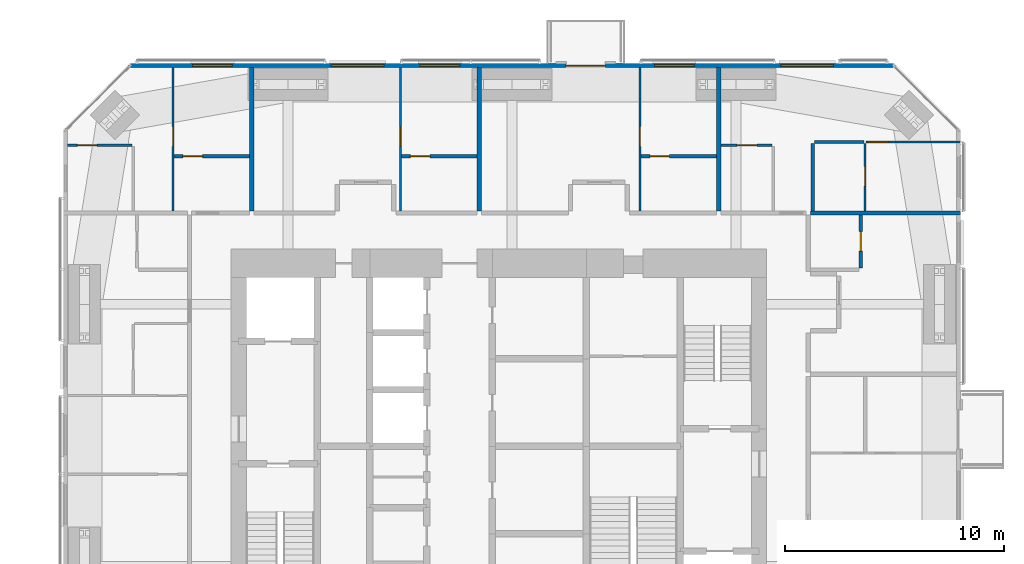
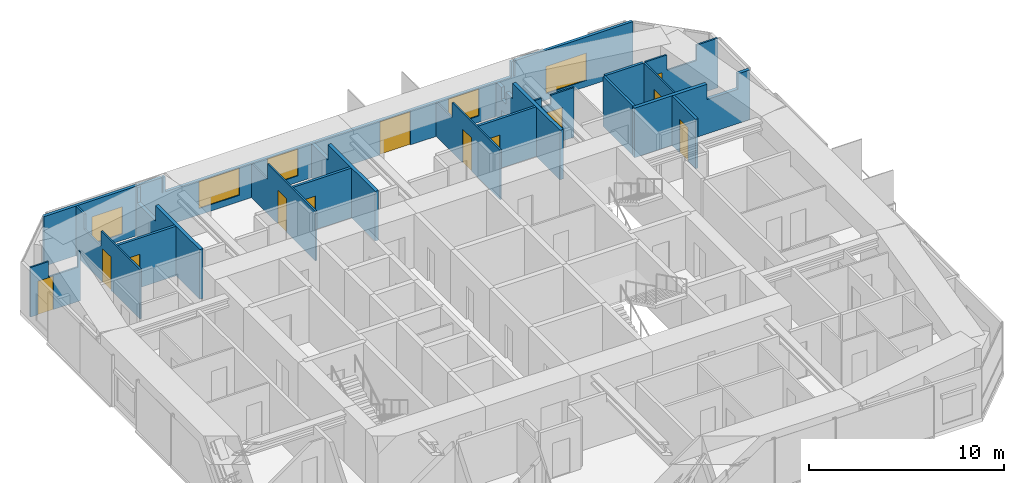
# One storey, part 21 of 23: 18 walls, 12 doors, 5 windows, 17 openings.
"""IFC4 building model written with IfcOpenShell, lengths in metres."""

from ifc_helpers import new_model, si_unit, direction, frame, frame_2d, origin, place, context, subcontext, project, spatial, polyline, rectangle, outline, extrude, material, constituent, constituent_set, type_object, element, fill, save


model = new_model("IFC4")

# Units and contexts
model_context = context("Model", 3, precision=1e-05, world=origin(), true_north=direction((0.0, 1.0)))
body_context = subcontext(model_context, "Body", "Model", "MODEL_VIEW")
ifc_project = project(units=[si_unit("LENGTHUNIT", "METRE"), si_unit("AREAUNIT", "SQUARE_METRE"), si_unit("VOLUMEUNIT", "CUBIC_METRE"), si_unit("PLANEANGLEUNIT", "RADIAN"), si_unit("MASSUNIT", "GRAM", prefix="KILO")], contexts=[model_context])

# Site, building, storey
site_placement = place(None, origin())
site = spatial("IfcSite", under=ifc_project, at=site_placement, CompositionType="ELEMENT")
building_placement = place(site_placement, origin())
building = spatial("IfcBuilding", under=site, at=building_placement, Name="Jalousie Tower", CompositionType="ELEMENT")
storey_placement = place(building_placement, frame((0.0, 0.0, 187.85009765625)))
storey = spatial("IfcBuildingStorey", under=building, at=storey_placement, Name="L51", CompositionType="ELEMENT", Elevation=187.85009765625)

# Wall, opening, door
ifc_material_1 = material(Name="Concrete block ASTM C90", Category="concrete")
ifc_constituent_1 = constituent(ifc_material_1, Name="Body")
ifc_material_2 = material(Name="Render")
ifc_constituent_2 = constituent(ifc_material_2, Name="Finish")
ifc_constituent_set_1 = constituent_set(constituents=[ifc_constituent_1, ifc_constituent_2])
wall_type_1 = type_object("IfcWallType", Name="BATHROOM WALL 150", PredefinedType="PLUMBINGWALL", material=ifc_constituent_set_1)
wall_1_placement = place(storey_placement, frame((17.050048828125, 31.77490234375, 0.0), z_axis=(0.0, 0.0, 1.0), x_axis=(1.0, 0.0, 0.0)))
wall_1 = element("IfcWall", 1, at=wall_1_placement, inside=storey, type_object=wall_type_1, Name="Bathroom Wall 150 L51", PredefinedType="PLUMBINGWALL", context=body_context, shape_type="SweptSolid", body=[
    extrude(rectangle(XDim=3.449951171875, YDim=0.14990234375, at=frame_2d((1.72509765625, 0.0))), origin(), (0.0, 0.0, 1.0), 3.10986328125),
])
opening_1_placement = place(wall_1_placement, frame((0.39990234375, 0.0, 0.0)))
opening_1 = element("IfcOpeningElement", 2, at=opening_1_placement, cuts=wall_1, Name="Opening D3", PredefinedType="OPENING", context=body_context, shape_type="SweptSolid", body=[
    extrude(rectangle(XDim=0.89990234375, YDim=2.10009765625, at=frame_2d((0.449951171875, 1.050048828125))), frame((0.0, 0.0849609375, 0.0), z_axis=(0.0, -1.0, 0.0), x_axis=(1.0, 0.0, 0.0)), (0.0, 0.0, 1.0), 0.169921875),
])
ifc_material_3 = material(Name="Timber door", Category="wood")
door_type_1 = type_object("IfcDoorType", Name="BATHROOM DOOR 900", OperationType="SINGLE_SWING_LEFT", PredefinedType="DOOR", material=ifc_material_3)
door_1_placement = place(opening_1_placement, frame((0.89990234375, 0.0, 0.0), z_axis=(0.0, 0.0, 1.0), x_axis=(-1.0, 0.0, 0.0)))
door_1 = element("IfcDoor", 3, at=door_1_placement, inside=storey, type_object=door_type_1, Name="Apartment 5104 bedroom 1 bathroom door", OperationType="SINGLE_SWING_RIGHT", OverallHeight=2.10009765625, OverallWidth=0.89990234375, PredefinedType="DOOR", context=body_context, shape_type="SweptSolid", body=[
    extrude(rectangle(XDim=0.89990234375, YDim=2.10009765625, at=frame_2d((0.449951171875, 1.050048828125))), frame((0.0, 0.02490234375, 0.0), z_axis=(0.0, -1.0, 0.0), x_axis=(1.0, 0.0, 0.0)), (0.0, 0.0, 1.0), 0.050048828125),
])
fill(opening_1, door_1)

wall_2_placement = place(storey_placement, frame((27.449951171875, 31.77490234375, 0.0), z_axis=(0.0, 0.0, 1.0), x_axis=(1.0, 0.0, 0.0)))
wall_2 = element("IfcWall", 4, at=wall_2_placement, inside=storey, type_object=wall_type_1, Name="Bathroom Wall 150 L51", PredefinedType="PLUMBINGWALL", context=body_context, shape_type="SweptSolid", body=[
    extrude(rectangle(XDim=3.449951171875, YDim=0.14990234375, at=frame_2d((1.72509765625, 0.0))), origin(), (0.0, 0.0, 1.0), 3.10986328125),
])
opening_2_placement = place(wall_2_placement, frame((0.39990234375, 0.0, 0.0)))
opening_2 = element("IfcOpeningElement", 5, at=opening_2_placement, cuts=wall_2, Name="Opening D3", PredefinedType="OPENING", context=body_context, shape_type="SweptSolid", body=[
    extrude(rectangle(XDim=0.89990234375, YDim=2.10009765625, at=frame_2d((0.449951171875, 1.050048828125))), frame((0.0, 0.0849609375, 0.0), z_axis=(0.0, -1.0, 0.0), x_axis=(1.0, 0.0, 0.0)), (0.0, 0.0, 1.0), 0.169921875),
])
door_2_placement = place(opening_2_placement, frame((0.89990234375, 0.0, 0.0), z_axis=(0.0, 0.0, 1.0), x_axis=(-1.0, 0.0, 0.0)))
door_2 = element("IfcDoor", 6, at=door_2_placement, inside=storey, type_object=door_type_1, Name="Apartment 5105 bedroom 1 bathroom door", OperationType="SINGLE_SWING_RIGHT", OverallHeight=2.10009765625, OverallWidth=0.89990234375, PredefinedType="DOOR", context=body_context, shape_type="SweptSolid", body=[
    extrude(rectangle(XDim=0.89990234375, YDim=2.10009765625, at=frame_2d((0.449951171875, 1.050048828125))), frame((0.0, 0.02490234375, 0.0), z_axis=(0.0, -1.0, 0.0), x_axis=(1.0, 0.0, 0.0)), (0.0, 0.0, 1.0), 0.050048828125),
])
fill(opening_2, door_2)

wall_3_placement = place(storey_placement, frame((38.39990234375, 31.77490234375, 0.0), z_axis=(0.0, 0.0, 1.0), x_axis=(1.0, 0.0, 0.0)))
wall_3 = element("IfcWall", 7, at=wall_3_placement, inside=storey, type_object=wall_type_1, Name="Bathroom Wall 150 L51", PredefinedType="PLUMBINGWALL", context=body_context, shape_type="SweptSolid", body=[
    extrude(rectangle(XDim=3.4501953125, YDim=0.14990234375, at=frame_2d((1.72509765625, 0.0))), origin(), (0.0, 0.0, 1.0), 3.10986328125),
])
opening_3_placement = place(wall_3_placement, frame((0.39990234375, 0.0, 0.0)))
opening_3 = element("IfcOpeningElement", 8, at=opening_3_placement, cuts=wall_3, Name="Opening D3", PredefinedType="OPENING", context=body_context, shape_type="SweptSolid", body=[
    extrude(rectangle(XDim=0.89990234375, YDim=2.10009765625, at=frame_2d((0.449951171875, 1.050048828125))), frame((0.0, 0.0849609375, 0.0), z_axis=(0.0, -1.0, 0.0), x_axis=(1.0, 0.0, 0.0)), (0.0, 0.0, 1.0), 0.169921875),
])
door_3_placement = place(opening_3_placement, frame((0.89990234375, 0.0, 0.0), z_axis=(0.0, 0.0, 1.0), x_axis=(-1.0, 0.0, 0.0)))
door_3 = element("IfcDoor", 9, at=door_3_placement, inside=storey, type_object=door_type_1, Name="Apartment 5106 bedroom 1 bathroom door", OperationType="SINGLE_SWING_RIGHT", OverallHeight=2.10009765625, OverallWidth=0.89990234375, PredefinedType="DOOR", context=body_context, shape_type="SweptSolid", body=[
    extrude(rectangle(XDim=0.89990234375, YDim=2.10009765625, at=frame_2d((0.449951171875, 1.050048828125))), frame((0.0, 0.02490234375, 0.0), z_axis=(0.0, -1.0, 0.0), x_axis=(1.0, 0.0, 0.0)), (0.0, 0.0, 1.0), 0.050048828125),
])
fill(opening_3, door_3)

# Walls
wall_4_placement = place(storey_placement, frame((46.324951171875, 32.420166015625, 0.0), z_axis=(0.0, 0.0, 1.0), x_axis=(1.0, 0.0, 0.0)))
element("IfcWall", 10, at=wall_4_placement, inside=storey, type_object=wall_type_1, Name="Bathroom Wall 150 L51", PredefinedType="PLUMBINGWALL", context=body_context, shape_type="SweptSolid", body=[
    extrude(rectangle(XDim=2.275146484375, YDim=0.14990234375, at=frame_2d((1.1376953125, 0.0))), origin(), (0.0, 0.0, 1.0), 3.10986328125),
])
wall_5_placement = place(storey_placement, frame((46.25, 32.34521484375, 0.0), z_axis=(0.0, 0.0, 1.0), x_axis=(0.0, -1.0, 0.0)))
element("IfcWall", 11, at=wall_5_placement, inside=storey, type_object=wall_type_1, Name="Bathroom Wall 150 L51", PredefinedType="PLUMBINGWALL", context=body_context, shape_type="SweptSolid", body=[
    extrude(rectangle(XDim=3.0703125, YDim=0.14990234375, at=frame_2d((1.53515625, 0.0))), origin(), (0.0, 0.0, 1.0), 3.10986328125),
])

# Wall, opening, door
wall_6_placement = place(storey_placement, frame((48.449951171875, 26.64990234375, 0.0), z_axis=(0.0, 0.0, 1.0), x_axis=(0.0, 1.0, 0.0)))
wall_6 = element("IfcWall", 12, at=wall_6_placement, inside=storey, type_object=wall_type_1, Name="Bathroom Wall 150 L51", PredefinedType="PLUMBINGWALL", context=body_context, shape_type="SweptSolid", body=[
    extrude(rectangle(XDim=2.425048828125, YDim=0.14990234375, at=frame_2d((1.21240234375, 0.0))), origin(), (0.0, 0.0, 1.0), 3.10986328125),
])
opening_4_placement = place(wall_6_placement, frame((0.77490234375, 0.0, 0.0)))
opening_4 = element("IfcOpeningElement", 13, at=opening_4_placement, cuts=wall_6, Name="Opening D3", PredefinedType="OPENING", context=body_context, shape_type="SweptSolid", body=[
    extrude(rectangle(XDim=0.89990234375, YDim=2.10009765625, at=frame_2d((0.449951171875, 1.050048828125))), frame((0.0, 0.0849609375, 0.0), z_axis=(0.0, -1.0, 0.0), x_axis=(1.0, 0.0, 0.0)), (0.0, 0.0, 1.0), 0.169921875),
])
door_4_placement = place(opening_4_placement, origin())
door_4 = element("IfcDoor", 14, at=door_4_placement, inside=storey, type_object=door_type_1, Name="Apartment 5110 bathroom door", OperationType="SINGLE_SWING_RIGHT", OverallHeight=2.10009765625, OverallWidth=0.89990234375, PredefinedType="DOOR", context=body_context, shape_type="SweptSolid", body=[
    extrude(rectangle(XDim=0.89990234375, YDim=2.10009765625, at=frame_2d((0.449951171875, 1.050048828125))), frame((0.0, 0.02490234375, 0.0), z_axis=(0.0, -1.0, 0.0), x_axis=(1.0, 0.0, 0.0)), (0.0, 0.0, 1.0), 0.050048828125),
])
fill(opening_4, door_4)

# Wall, openings, door, windows
ifc_material_4 = material(Name="Concrete f'c 40 MPa", Category="concrete")
ifc_constituent_3 = constituent(ifc_material_4, Name="Body")
ifc_material_5 = material(Name="Render, pastel lemon")
ifc_constituent_4 = constituent(ifc_material_5, Name="Finish")
ifc_constituent_set_2 = constituent_set(constituents=[ifc_constituent_3, ifc_constituent_4])
wall_type_2 = type_object("IfcWallType", Name="EXTERNAL WALL 175 LEMON RENDER", PredefinedType="SOLIDWALL", material=ifc_constituent_set_2)
wall_7_placement = place(storey_placement, frame((49.94873046875, 35.91259765625, 0.0), z_axis=(0.0, 0.0, 1.0), x_axis=(-1.0, 0.0, 0.0)))
wall_7 = element("IfcWall", 15, at=wall_7_placement, inside=storey, type_object=wall_type_2, Name="External Wall 175 Lemon Render L51", PredefinedType="SOLIDWALL", context=body_context, shape_type="SweptSolid", body=[
    extrude(outline(polyline([(0.0, 0.0), (34.8974609375, 0.0), (34.8974609375, 3.10986328125), (27.91015625, 3.10986328125), (27.91015625, 2.14990234375), (27.8359375, 2.14990234375), (27.8359375, 3.10986328125), (27.69873046875, 3.10986328125), (27.69873046875, 2.14990234375), (7.19873046875, 2.14990234375), (7.19873046875, 3.10986328125), (7.0615234375, 3.10986328125), (7.0615234375, 2.14990234375), (6.9873046875, 2.14990234375), (6.9873046875, 3.10986328125), (0.0, 3.10986328125), (0.0, 0.0)])), frame((0.0, 0.08740234375, 0.0), z_axis=(0.0, -1.0, 0.0), x_axis=(1.0, 0.0, 0.0)), (0.0, 0.0, 1.0), 0.175048828125),
])
opening_5_placement = place(wall_7_placement, frame((2.74951171875, 0.0, 0.39990234375)))
opening_5 = element("IfcOpeningElement", 16, at=opening_5_placement, cuts=wall_7, Name="Opening W-LIV170", PredefinedType="OPENING", context=body_context, shape_type="SweptSolid", body=[
    extrude(rectangle(XDim=2.39990234375, YDim=1.699951171875, at=frame_2d((1.199951171875, 0.85009765625))), frame((0.0, 0.097412109375, 0.0), z_axis=(0.0, -1.0, 0.0), x_axis=(1.0, 0.0, 0.0)), (0.0, 0.0, 1.0), 0.195068359375),
])
opening_6_placement = place(wall_7_placement, frame((9.123779296875, 0.0, 0.39990234375)))
opening_6 = element("IfcOpeningElement", 17, at=opening_6_placement, cuts=wall_7, Name="Opening W-BED170", PredefinedType="OPENING", context=body_context, shape_type="SweptSolid", body=[
    extrude(rectangle(XDim=1.800048828125, YDim=1.699951171875, at=frame_2d((0.89990234375, 0.85009765625))), frame((0.0, 0.097412109375, 0.0), z_axis=(0.0, -1.0, 0.0), x_axis=(1.0, 0.0, 0.0)), (0.0, 0.0, 1.0), 0.195068359375),
])
opening_7_placement = place(wall_7_placement, frame((13.173583984375, 0.0, 0.0)))
opening_7 = element("IfcOpeningElement", 18, at=opening_7_placement, cuts=wall_7, Name="Opening D-BAL21", PredefinedType="OPENING", context=body_context, shape_type="SweptSolid", body=[
    extrude(rectangle(XDim=1.800048828125, YDim=2.10009765625, at=frame_2d((0.89990234375, 1.050048828125))), frame((0.0, 0.097412109375, 0.0), z_axis=(0.0, -1.0, 0.0), x_axis=(1.0, 0.0, 0.0)), (0.0, 0.0, 1.0), 0.195068359375),
])
opening_8_placement = place(wall_7_placement, frame((19.8486328125, 0.0, 0.39990234375)))
opening_8 = element("IfcOpeningElement", 19, at=opening_8_placement, cuts=wall_7, Name="Opening W-BED170", PredefinedType="OPENING", context=body_context, shape_type="SweptSolid", body=[
    extrude(rectangle(XDim=1.800048828125, YDim=1.699951171875, at=frame_2d((0.89990234375, 0.85009765625))), frame((0.0, 0.097412109375, 0.0), z_axis=(0.0, -1.0, 0.0), x_axis=(1.0, 0.0, 0.0)), (0.0, 0.0, 1.0), 0.195068359375),
])
opening_9_placement = place(wall_7_placement, frame((23.3037109375, 0.0, 0.39990234375)))
opening_9 = element("IfcOpeningElement", 20, at=opening_9_placement, cuts=wall_7, Name="Opening W-LIV170", PredefinedType="OPENING", context=body_context, shape_type="SweptSolid", body=[
    extrude(rectangle(XDim=2.39990234375, YDim=1.699951171875, at=frame_2d((1.199951171875, 0.85009765625))), frame((0.0, 0.097412109375, 0.0), z_axis=(0.0, -1.0, 0.0), x_axis=(1.0, 0.0, 0.0)), (0.0, 0.0, 1.0), 0.195068359375),
])
opening_10_placement = place(wall_7_placement, frame((30.248779296875, 0.0, 0.39990234375)))
opening_10 = element("IfcOpeningElement", 21, at=opening_10_placement, cuts=wall_7, Name="Opening W-BED170", PredefinedType="OPENING", context=body_context, shape_type="SweptSolid", body=[
    extrude(rectangle(XDim=1.800048828125, YDim=1.699951171875, at=frame_2d((0.89990234375, 0.85009765625))), frame((0.0, 0.097412109375, 0.0), z_axis=(0.0, -1.0, 0.0), x_axis=(1.0, 0.0, 0.0)), (0.0, 0.0, 1.0), 0.195068359375),
])
ifc_material_6 = material(Name="Aluminium frame, impact-rated glazing", Category="aluminium")
door_type_2 = type_object("IfcDoorType", Name="BALCONY DOOR 1800x2100", OperationType="SLIDING_TO_LEFT", PredefinedType="DOOR", material=ifc_material_6)
door_5_placement = place(opening_7_placement, origin())
door_5 = element("IfcDoor", 22, at=door_5_placement, inside=storey, type_object=door_type_2, Name="Apartment 5106 living, dining and kitchen balcony door", OperationType="SLIDING_TO_LEFT", OverallHeight=2.10009765625, OverallWidth=1.800048828125, PredefinedType="DOOR", context=body_context, shape_type="SweptSolid", body=[
    extrude(rectangle(XDim=1.800048828125, YDim=2.10009765625, at=frame_2d((0.89990234375, 1.050048828125))), frame((0.0, 0.02490234375, 0.0), z_axis=(0.0, -1.0, 0.0), x_axis=(1.0, 0.0, 0.0)), (0.0, 0.0, 1.0), 0.050048828125),
])
fill(opening_7, door_5)
ifc_material_7 = material(Name="Aluminium frame, impact-rated glazing", Category="aluminium")
window_type_1 = type_object("IfcWindowType", Name="WINDOW BED 1800x1700", PartitioningType="SINGLE_PANEL", PredefinedType="WINDOW", material=ifc_material_7)
window_1_placement = place(opening_6_placement, origin())
window_1 = element("IfcWindow", 23, at=window_1_placement, inside=storey, type_object=window_type_1, Name="Apartment 5106 bedroom 1 window", OverallHeight=1.699951171875, OverallWidth=1.800048828125, PartitioningType="SINGLE_PANEL", PredefinedType="WINDOW", context=body_context, shape_type="SweptSolid", body=[
    extrude(rectangle(XDim=1.800048828125, YDim=1.699951171875, at=frame_2d((0.89990234375, 0.85009765625))), frame((0.0, 0.030029296875, 0.0), z_axis=(0.0, -1.0, 0.0), x_axis=(1.0, 0.0, 0.0)), (0.0, 0.0, 1.0), 0.06005859375),
])
fill(opening_6, window_1)
window_2_placement = place(opening_8_placement, origin())
window_2 = element("IfcWindow", 24, at=window_2_placement, inside=storey, type_object=window_type_1, Name="Apartment 5105 bedroom 1 window", OverallHeight=1.699951171875, OverallWidth=1.800048828125, PartitioningType="SINGLE_PANEL", PredefinedType="WINDOW", context=body_context, shape_type="SweptSolid", body=[
    extrude(rectangle(XDim=1.800048828125, YDim=1.699951171875, at=frame_2d((0.89990234375, 0.85009765625))), frame((0.0, 0.030029296875, 0.0), z_axis=(0.0, -1.0, 0.0), x_axis=(1.0, 0.0, 0.0)), (0.0, 0.0, 1.0), 0.06005859375),
])
fill(opening_8, window_2)
window_3_placement = place(opening_10_placement, origin())
window_3 = element("IfcWindow", 25, at=window_3_placement, inside=storey, type_object=window_type_1, Name="Apartment 5104 bedroom 1 window", OverallHeight=1.699951171875, OverallWidth=1.800048828125, PartitioningType="SINGLE_PANEL", PredefinedType="WINDOW", context=body_context, shape_type="SweptSolid", body=[
    extrude(rectangle(XDim=1.800048828125, YDim=1.699951171875, at=frame_2d((0.89990234375, 0.85009765625))), frame((0.0, 0.030029296875, 0.0), z_axis=(0.0, -1.0, 0.0), x_axis=(1.0, 0.0, 0.0)), (0.0, 0.0, 1.0), 0.06005859375),
])
fill(opening_10, window_3)
ifc_material_8 = material(Name="Aluminium frame, impact-rated glazing", Category="aluminium")
window_type_2 = type_object("IfcWindowType", Name="WINDOW LIV 2400x1700", PartitioningType="DOUBLE_PANEL_VERTICAL", PredefinedType="WINDOW", material=ifc_material_8)
window_4_placement = place(opening_5_placement, origin())
window_4 = element("IfcWindow", 26, at=window_4_placement, inside=storey, type_object=window_type_2, Name="Apartment 5107 living and dining room window", OverallHeight=1.699951171875, OverallWidth=2.39990234375, PartitioningType="SINGLE_PANEL", PredefinedType="WINDOW", context=body_context, shape_type="SweptSolid", body=[
    extrude(rectangle(XDim=2.39990234375, YDim=1.699951171875, at=frame_2d((1.199951171875, 0.85009765625))), frame((0.0, 0.030029296875, 0.0), z_axis=(0.0, -1.0, 0.0), x_axis=(1.0, 0.0, 0.0)), (0.0, 0.0, 1.0), 0.06005859375),
])
fill(opening_5, window_4)
window_5_placement = place(opening_9_placement, origin())
window_5 = element("IfcWindow", 27, at=window_5_placement, inside=storey, type_object=window_type_2, Name="Apartment 5105 living, dining and kitchen window", OverallHeight=1.699951171875, OverallWidth=2.39990234375, PartitioningType="SINGLE_PANEL", PredefinedType="WINDOW", context=body_context, shape_type="SweptSolid", body=[
    extrude(rectangle(XDim=2.39990234375, YDim=1.699951171875, at=frame_2d((1.199951171875, 0.85009765625))), frame((0.0, 0.030029296875, 0.0), z_axis=(0.0, -1.0, 0.0), x_axis=(1.0, 0.0, 0.0)), (0.0, 0.0, 1.0), 0.06005859375),
])
fill(opening_9, window_5)

# Wall, opening, door
ifc_material_9 = material(Name="Gypsum board", Category="gypsum")
ifc_constituent_5 = constituent(ifc_material_9, Name="Body")
ifc_material_10 = material(Name="Light-gauge steel studs ASTM A653 SS Grade 33", Category="steel")
ifc_constituent_6 = constituent(ifc_material_10, Name="Framing")
ifc_constituent_set_3 = constituent_set(constituents=[ifc_constituent_5, ifc_constituent_6])
wall_type_3 = type_object("IfcWallType", Name="PARTITION 100", PredefinedType="PARTITIONING", material=ifc_constituent_set_3)
wall_8_placement = place(storey_placement, frame((17.0, 35.824951171875, 0.0), z_axis=(0.0, 0.0, 1.0), x_axis=(0.0, -1.0, 0.0)))
wall_8 = element("IfcWall", 28, at=wall_8_placement, inside=storey, type_object=wall_type_3, Name="Partition 100 L51", PredefinedType="PARTITIONING", context=body_context, shape_type="SweptSolid", body=[
    extrude(outline(polyline([(0.0, 0.0), (6.550048828125, 0.0), (6.550048828125, 3.10986328125), (2.57763671875, 3.10986328125), (2.57763671875, 2.14990234375), (0.830810546875, 2.14990234375), (0.830810546875, 3.10986328125), (0.0, 3.10986328125), (0.0, 0.0)])), frame((0.0, 0.050048828125, 0.0), z_axis=(0.0, -1.0, 0.0), x_axis=(1.0, 0.0, 0.0)), (0.0, 0.0, 1.0), 0.10009765625),
])
opening_11_placement = place(wall_8_placement, frame((2.699951171875, 0.0, 0.0)))
opening_11 = element("IfcOpeningElement", 29, at=opening_11_placement, cuts=wall_8, Name="Opening D2", PredefinedType="OPENING", context=body_context, shape_type="SweptSolid", body=[
    extrude(rectangle(XDim=0.89990234375, YDim=2.10009765625, at=frame_2d((0.449951171875, 1.050048828125))), frame((0.0, 0.06005859375, 0.0), z_axis=(0.0, -1.0, 0.0), x_axis=(1.0, 0.0, 0.0)), (0.0, 0.0, 1.0), 0.1201171875),
])
ifc_material_11 = material(Name="Timber door", Category="wood")
door_type_3 = type_object("IfcDoorType", Name="BEDROOM DOOR 900", OperationType="SINGLE_SWING_LEFT", PredefinedType="DOOR", material=ifc_material_11)
door_6_placement = place(opening_11_placement, origin())
door_6 = element("IfcDoor", 30, at=door_6_placement, inside=storey, type_object=door_type_3, Name="Apartment 5104 bedroom 1 door", OperationType="SINGLE_SWING_RIGHT", OverallHeight=2.10009765625, OverallWidth=0.89990234375, PredefinedType="DOOR", context=body_context, shape_type="SweptSolid", body=[
    extrude(rectangle(XDim=0.89990234375, YDim=2.10009765625, at=frame_2d((0.449951171875, 1.050048828125))), frame((0.0, 0.02490234375, 0.0), z_axis=(0.0, -1.0, 0.0), x_axis=(1.0, 0.0, 0.0)), (0.0, 0.0, 1.0), 0.050048828125),
])
fill(opening_11, door_6)

wall_9_placement = place(storey_placement, frame((12.175048828125, 32.27490234375, 0.0), z_axis=(0.0, 0.0, 1.0), x_axis=(1.0, 0.0, 0.0)))
wall_9 = element("IfcWall", 31, at=wall_9_placement, inside=storey, type_object=wall_type_3, Name="Partition 100 L51", PredefinedType="PARTITIONING", context=body_context, shape_type="SweptSolid", body=[
    extrude(outline(polyline([(0.0, 0.0), (2.949951171875, 0.0), (2.949951171875, 3.10986328125), (2.822265625, 3.10986328125), (2.822265625, 2.14990234375), (1.079833984375, 2.14990234375), (1.079833984375, 3.10986328125), (0.0, 3.10986328125), (0.0, 0.0)])), frame((0.0, 0.050048828125, 0.0), z_axis=(0.0, -1.0, 0.0), x_axis=(1.0, 0.0, 0.0)), (0.0, 0.0, 1.0), 0.10009765625),
])
opening_12_placement = place(wall_9_placement, frame((0.449951171875, 0.0, 0.0)))
opening_12 = element("IfcOpeningElement", 32, at=opening_12_placement, cuts=wall_9, Name="Opening D7", PredefinedType="OPENING", context=body_context, shape_type="SweptSolid", body=[
    extrude(rectangle(XDim=0.89990234375, YDim=2.10009765625, at=frame_2d((0.449951171875, 1.050048828125))), frame((0.0, 0.06005859375, 0.0), z_axis=(0.0, -1.0, 0.0), x_axis=(1.0, 0.0, 0.0)), (0.0, 0.0, 1.0), 0.1201171875),
])
ifc_material_12 = material(Name="Timber door", Category="wood")
door_type_4 = type_object("IfcDoorType", Name="INTERNAL DOOR 900", OperationType="SINGLE_SWING_LEFT", PredefinedType="DOOR", material=ifc_material_12)
door_7_placement = place(opening_12_placement, frame((0.89990234375, 0.0, 0.0), z_axis=(0.0, 0.0, 1.0), x_axis=(-1.0, 0.0, 0.0)))
door_7 = element("IfcDoor", 33, at=door_7_placement, inside=storey, type_object=door_type_4, Name="Apartment 5104 kitchen door", OperationType="SINGLE_SWING_RIGHT", OverallHeight=2.10009765625, OverallWidth=0.89990234375, PredefinedType="DOOR", context=body_context, shape_type="SweptSolid", body=[
    extrude(rectangle(XDim=0.89990234375, YDim=2.10009765625, at=frame_2d((0.449951171875, 1.050048828125))), frame((0.0, 0.02490234375, 0.0), z_axis=(0.0, -1.0, 0.0), x_axis=(1.0, 0.0, 0.0)), (0.0, 0.0, 1.0), 0.050048828125),
])
fill(opening_12, door_7)

wall_10_placement = place(storey_placement, frame((27.39990234375, 35.824951171875, 0.0), z_axis=(0.0, 0.0, 1.0), x_axis=(0.0, -1.0, 0.0)))
wall_10 = element("IfcWall", 34, at=wall_10_placement, inside=storey, type_object=wall_type_3, Name="Partition 100 L51", PredefinedType="PARTITIONING", context=body_context, shape_type="SweptSolid", body=[
    extrude(outline(polyline([(0.0, 0.0), (6.550048828125, 0.0), (6.550048828125, 3.10986328125), (1.635009765625, 3.10986328125), (1.635009765625, 2.14990234375), (0.0, 2.14990234375), (0.0, 3.10986328125), (0.0, 0.0)])), frame((0.0, 0.050048828125, 0.0), z_axis=(0.0, -1.0, 0.0), x_axis=(1.0, 0.0, 0.0)), (0.0, 0.0, 1.0), 0.10009765625),
])
opening_13_placement = place(wall_10_placement, frame((2.699951171875, 0.0, 0.0)))
opening_13 = element("IfcOpeningElement", 35, at=opening_13_placement, cuts=wall_10, Name="Opening D2", PredefinedType="OPENING", context=body_context, shape_type="SweptSolid", body=[
    extrude(rectangle(XDim=0.89990234375, YDim=2.10009765625, at=frame_2d((0.449951171875, 1.050048828125))), frame((0.0, 0.06005859375, 0.0), z_axis=(0.0, -1.0, 0.0), x_axis=(1.0, 0.0, 0.0)), (0.0, 0.0, 1.0), 0.1201171875),
])
door_8_placement = place(opening_13_placement, origin())
door_8 = element("IfcDoor", 36, at=door_8_placement, inside=storey, type_object=door_type_3, Name="Apartment 5105 bedroom 1 door", OperationType="SINGLE_SWING_RIGHT", OverallHeight=2.10009765625, OverallWidth=0.89990234375, PredefinedType="DOOR", context=body_context, shape_type="SweptSolid", body=[
    extrude(rectangle(XDim=0.89990234375, YDim=2.10009765625, at=frame_2d((0.449951171875, 1.050048828125))), frame((0.0, 0.02490234375, 0.0), z_axis=(0.0, -1.0, 0.0), x_axis=(1.0, 0.0, 0.0)), (0.0, 0.0, 1.0), 0.050048828125),
])
fill(opening_13, door_8)

wall_11_placement = place(storey_placement, frame((38.35009765625, 35.824951171875, 0.0), z_axis=(0.0, 0.0, 1.0), x_axis=(0.0, -1.0, 0.0)))
wall_11 = element("IfcWall", 37, at=wall_11_placement, inside=storey, type_object=wall_type_3, Name="Partition 100 L51", PredefinedType="PARTITIONING", context=body_context, shape_type="SweptSolid", body=[
    extrude(outline(polyline([(0.0, 0.0), (6.550048828125, 0.0), (6.550048828125, 3.10986328125), (1.635009765625, 3.10986328125), (1.635009765625, 2.14990234375), (0.0, 2.14990234375), (0.0, 3.10986328125), (0.0, 0.0)])), frame((0.0, 0.050048828125, 0.0), z_axis=(0.0, -1.0, 0.0), x_axis=(1.0, 0.0, 0.0)), (0.0, 0.0, 1.0), 0.10009765625),
])
opening_14_placement = place(wall_11_placement, frame((2.699951171875, 0.0, 0.0)))
opening_14 = element("IfcOpeningElement", 38, at=opening_14_placement, cuts=wall_11, Name="Opening D2", PredefinedType="OPENING", context=body_context, shape_type="SweptSolid", body=[
    extrude(rectangle(XDim=0.89990234375, YDim=2.10009765625, at=frame_2d((0.449951171875, 1.050048828125))), frame((0.0, 0.06005859375, 0.0), z_axis=(0.0, -1.0, 0.0), x_axis=(1.0, 0.0, 0.0)), (0.0, 0.0, 1.0), 0.1201171875),
])
door_9_placement = place(opening_14_placement, origin())
door_9 = element("IfcDoor", 39, at=door_9_placement, inside=storey, type_object=door_type_3, Name="Apartment 5106 bedroom 1 door", OperationType="SINGLE_SWING_RIGHT", OverallHeight=2.10009765625, OverallWidth=0.89990234375, PredefinedType="DOOR", context=body_context, shape_type="SweptSolid", body=[
    extrude(rectangle(XDim=0.89990234375, YDim=2.10009765625, at=frame_2d((0.449951171875, 1.050048828125))), frame((0.0, 0.02490234375, 0.0), z_axis=(0.0, -1.0, 0.0), x_axis=(1.0, 0.0, 0.0)), (0.0, 0.0, 1.0), 0.050048828125),
])
fill(opening_14, door_9)

wall_12_placement = place(storey_placement, frame((48.64990234375, 32.34521484375, 0.0), z_axis=(0.0, 0.0, 1.0), x_axis=(0.0, -1.0, 0.0)))
wall_12 = element("IfcWall", 40, at=wall_12_placement, inside=storey, type_object=wall_type_3, Name="Partition 100 L51", PredefinedType="PARTITIONING", context=body_context, shape_type="SweptSolid", body=[
    extrude(rectangle(XDim=3.0703125, YDim=0.10009765625, at=frame_2d((1.53515625, 0.0))), origin(), (0.0, 0.0, 1.0), 3.10986328125),
])
opening_15_placement = place(wall_12_placement, frame((1.047607421875, 0.0, 0.0)))
opening_15 = element("IfcOpeningElement", 41, at=opening_15_placement, cuts=wall_12, Name="Opening D3", PredefinedType="OPENING", context=body_context, shape_type="SweptSolid", body=[
    extrude(rectangle(XDim=0.89990234375, YDim=2.10009765625, at=frame_2d((0.449951171875, 1.050048828125))), frame((0.0, 0.06005859375, 0.0), z_axis=(0.0, -1.0, 0.0), x_axis=(1.0, 0.0, 0.0)), (0.0, 0.0, 1.0), 0.1201171875),
])
door_10_placement = place(opening_15_placement, frame((0.89990234375, 0.0, 0.0), z_axis=(0.0, 0.0, 1.0), x_axis=(-1.0, 0.0, 0.0)))
door_10 = element("IfcDoor", 42, at=door_10_placement, inside=storey, type_object=door_type_1, Name="Apartment 5107 bedroom 1 bathroom door", OperationType="SINGLE_SWING_RIGHT", OverallHeight=2.10009765625, OverallWidth=0.89990234375, PredefinedType="DOOR", context=body_context, shape_type="SweptSolid", body=[
    extrude(rectangle(XDim=0.89990234375, YDim=2.10009765625, at=frame_2d((0.449951171875, 1.050048828125))), frame((0.0, 0.02490234375, 0.0), z_axis=(0.0, -1.0, 0.0), x_axis=(1.0, 0.0, 0.0)), (0.0, 0.0, 1.0), 0.050048828125),
])
fill(opening_15, door_10)

wall_13_placement = place(storey_placement, frame((48.699951171875, 32.420166015625, 0.0), z_axis=(0.0, 0.0, 1.0), x_axis=(1.0, 0.0, 0.0)))
wall_13 = element("IfcWall", 43, at=wall_13_placement, inside=storey, type_object=wall_type_3, Name="Partition 100 L51", PredefinedType="PARTITIONING", context=body_context, shape_type="SweptSolid", body=[
    extrude(outline(polyline([(0.0, 0.0), (4.300048828125, 0.0), (4.300048828125, 3.10986328125), (3.021728515625, 3.10986328125), (3.021728515625, 2.14990234375), (1.279296875, 2.14990234375), (1.279296875, 3.10986328125), (0.0, 3.10986328125), (0.0, 0.0)])), frame((0.0, 0.050048828125, 0.0), z_axis=(0.0, -1.0, 0.0), x_axis=(1.0, 0.0, 0.0)), (0.0, 0.0, 1.0), 0.10009765625),
])
opening_16_placement = place(wall_13_placement, frame((0.10009765625, 0.0, 0.0)))
opening_16 = element("IfcOpeningElement", 44, at=opening_16_placement, cuts=wall_13, Name="Opening D2", PredefinedType="OPENING", context=body_context, shape_type="SweptSolid", body=[
    extrude(rectangle(XDim=0.89990234375, YDim=2.10009765625, at=frame_2d((0.449951171875, 1.050048828125))), frame((0.0, 0.06005859375, 0.0), z_axis=(0.0, -1.0, 0.0), x_axis=(1.0, 0.0, 0.0)), (0.0, 0.0, 1.0), 0.1201171875),
])
door_11_placement = place(opening_16_placement, frame((0.89990234375, 0.0, 0.0), z_axis=(0.0, 0.0, 1.0), x_axis=(-1.0, 0.0, 0.0)))
door_11 = element("IfcDoor", 45, at=door_11_placement, inside=storey, type_object=door_type_3, Name="Apartment 5107 bedroom 1 door", OperationType="SINGLE_SWING_RIGHT", OverallHeight=2.10009765625, OverallWidth=0.89990234375, PredefinedType="DOOR", context=body_context, shape_type="SweptSolid", body=[
    extrude(rectangle(XDim=0.89990234375, YDim=2.10009765625, at=frame_2d((0.449951171875, 1.050048828125))), frame((0.0, 0.02490234375, 0.0), z_axis=(0.0, -1.0, 0.0), x_axis=(1.0, 0.0, 0.0)), (0.0, 0.0, 1.0), 0.050048828125),
])
fill(opening_16, door_11)

wall_14_placement = place(storey_placement, frame((42.050048828125, 32.27490234375, 0.0), z_axis=(0.0, 0.0, 1.0), x_axis=(1.0, 0.0, 0.0)))
wall_14 = element("IfcWall", 46, at=wall_14_placement, inside=storey, type_object=wall_type_3, Name="Partition 100 L51", PredefinedType="PARTITIONING", context=body_context, shape_type="SweptSolid", body=[
    extrude(outline(polyline([(0.0, 0.0), (2.349853515625, 0.0), (2.35009765625, 3.10986328125), (0.9873046875, 3.10986328125), (0.9873046875, 2.541015625), (0.41259765625, 2.541015625), (0.41259765625, 3.10986328125), (0.0, 3.10986328125), (0.0, 0.0)])), frame((0.0, 0.050048828125, 0.0), z_axis=(0.0, -1.0, 0.0), x_axis=(1.0, 0.0, 0.0)), (0.0, 0.0, 1.0), 0.10009765625),
])
opening_17_placement = place(wall_14_placement, frame((0.75, 0.0, 0.0)))
opening_17 = element("IfcOpeningElement", 47, at=opening_17_placement, cuts=wall_14, Name="Opening D7", PredefinedType="OPENING", context=body_context, shape_type="SweptSolid", body=[
    extrude(rectangle(XDim=0.89990234375, YDim=2.10009765625, at=frame_2d((0.449951171875, 1.050048828125))), frame((0.0, 0.06005859375, 0.0), z_axis=(0.0, -1.0, 0.0), x_axis=(1.0, 0.0, 0.0)), (0.0, 0.0, 1.0), 0.1201171875),
])
door_12_placement = place(opening_17_placement, origin())
door_12 = element("IfcDoor", 48, at=door_12_placement, inside=storey, type_object=door_type_4, Name="Apartment 5107 kitchen door", OperationType="SINGLE_SWING_LEFT", OverallHeight=2.10009765625, OverallWidth=0.89990234375, PredefinedType="DOOR", context=body_context, shape_type="SweptSolid", body=[
    extrude(rectangle(XDim=0.89990234375, YDim=2.10009765625, at=frame_2d((0.449951171875, 1.050048828125))), frame((0.0, 0.02490234375, 0.0), z_axis=(0.0, -1.0, 0.0), x_axis=(1.0, 0.0, 0.0)), (0.0, 0.0, 1.0), 0.050048828125),
])
fill(opening_17, door_12)

# Walls
ifc_material_13 = material(Name="Concrete block ASTM C90", Category="concrete")
ifc_constituent_7 = constituent(ifc_material_13, Name="Body")
ifc_material_14 = material(Name="Render")
ifc_constituent_8 = constituent(ifc_material_14, Name="Finish")
ifc_constituent_set_4 = constituent_set(constituents=[ifc_constituent_7, ifc_constituent_8])
wall_type_4 = type_object("IfcWallType", Name="PARTY WALL 200", PredefinedType="PARTITIONING", material=ifc_constituent_set_4)
wall_15_placement = place(storey_placement, frame((20.60009765625, 35.824951171875, 0.0), z_axis=(0.0, 0.0, 1.0), x_axis=(0.0, -1.0, 0.0)))
element("IfcWall", 49, at=wall_15_placement, inside=storey, type_object=wall_type_4, Name="Party Wall 200 L51", PredefinedType="PARTITIONING", context=body_context, shape_type="SweptSolid", body=[
    extrude(outline(polyline([(0.0, 0.0), (6.550048828125, 0.0), (6.550048828125, 3.10986328125), (1.9912109375, 3.10986328125), (1.9912109375, 2.14990234375), (0.142822265625, 2.14990234375), (0.142822265625, 3.10986328125), (0.0, 3.10986328125), (0.0, 0.0)])), frame((0.0, 0.10009765625, 0.0), z_axis=(0.0, -1.0, 0.0), x_axis=(1.0, 0.0, 0.0)), (0.0, 0.0, 1.0), 0.199951171875),
])
wall_16_placement = place(storey_placement, frame((31.0, 35.824951171875, 0.0), z_axis=(0.0, 0.0, 1.0), x_axis=(0.0, -1.0, 0.0)))
element("IfcWall", 50, at=wall_16_placement, inside=storey, type_object=wall_type_4, Name="Party Wall 200 L51", PredefinedType="PARTITIONING", context=body_context, shape_type="SweptSolid", body=[
    extrude(outline(polyline([(0.0, 0.0), (6.550048828125, 0.0), (6.550048828125, 3.10986328125), (1.68505859375, 3.10986328125), (1.68505859375, 2.14990234375), (0.0, 2.14990234375), (0.0, 3.10986328125), (0.0, 0.0)])), frame((0.0, 0.10009765625, 0.0), z_axis=(0.0, -1.0, 0.0), x_axis=(1.0, 0.0, 0.0)), (0.0, 0.0, 1.0), 0.199951171875),
])
wall_17_placement = place(storey_placement, frame((41.949951171875, 35.824951171875, 0.0), z_axis=(0.0, 0.0, 1.0), x_axis=(0.0, -1.0, 0.0)))
element("IfcWall", 51, at=wall_17_placement, inside=storey, type_object=wall_type_4, Name="Party Wall 200 L51", PredefinedType="PARTITIONING", context=body_context, shape_type="SweptSolid", body=[
    extrude(outline(polyline([(0.52880859375, 2.14990234375), (0.0, 2.14990234375), (0.0, 0.0), (0.52880859375, 0.0), (0.52880859375, 0.74609375), (1.021240234375, 0.74609375), (1.021240234375, 0.0), (6.550048828125, 0.0), (6.550048828125, 3.10986328125), (1.68505859375, 3.10986328125), (1.68505859375, 2.14990234375), (1.021240234375, 2.14990234375), (1.021240234375, 1.40380859375), (0.52880859375, 1.40380859375), (0.52880859375, 2.14990234375)])), frame((0.0, 0.10009765625, 0.0), z_axis=(0.0, -1.0, 0.0), x_axis=(1.0, 0.0, 0.0)), (0.0, 0.0, 1.0), 0.199951171875),
])
wall_18_placement = place(storey_placement, frame((46.14990234375, 29.175048828125, 0.0), z_axis=(0.0, 0.0, 1.0), x_axis=(1.0, 0.0, 0.0)))
element("IfcWall", 52, at=wall_18_placement, inside=storey, type_object=wall_type_4, Name="Party Wall 200 L51", PredefinedType="PARTITIONING", context=body_context, shape_type="SweptSolid", body=[
    extrude(outline(polyline([(0.0, 0.0), (6.85009765625, 0.0), (6.85009765625, 3.10986328125), (6.14697265625, 3.10986328125), (6.14697265625, 2.14990234375), (4.30322265625, 2.14990234375), (4.30322265625, 3.10986328125), (0.0, 3.10986328125), (0.0, 0.0)])), frame((0.0, 0.10009765625, 0.0), z_axis=(0.0, -1.0, 0.0), x_axis=(1.0, 0.0, 0.0)), (0.0, 0.0, 1.0), 0.199951171875),
])

save(model, "model.ifc")
